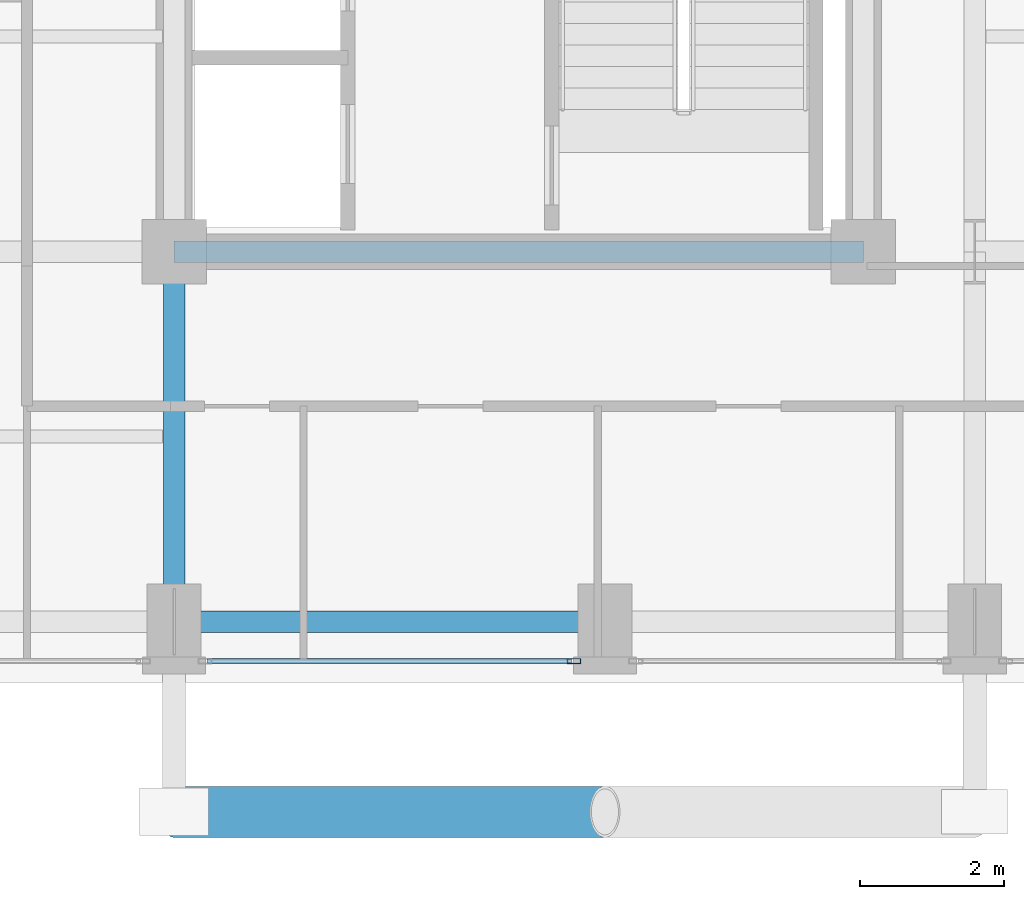
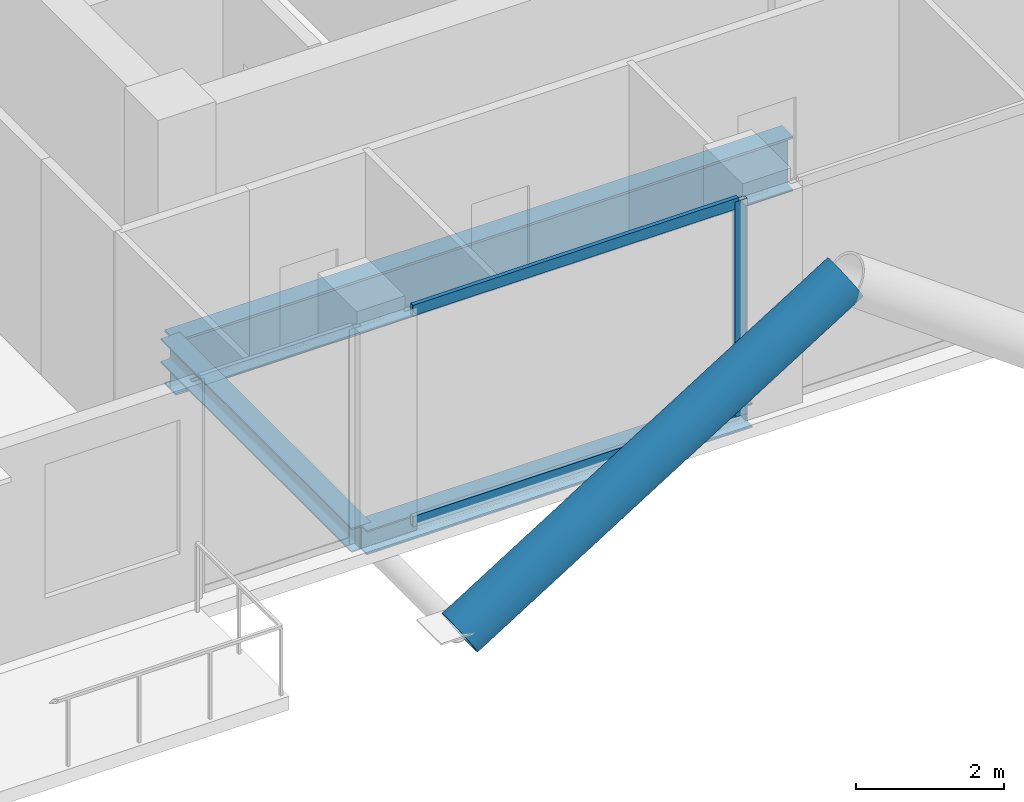
# One storey, part 5 of 22: 4 members, 3 beams, 1 element without a shape of its own.
"""IFC4 building model written with IfcOpenShell, lengths in metres."""

from ifc_helpers import new_model, si_unit, direction, frame, origin, origin_2d, place, context, subcontext, project, spatial, hollow_rectangle, hollow_circle, i_section, extrude, material, layer, layer_set, material_profile, profile_set, type_object, element, aggregate, save


model = new_model("IFC4")

# Units and contexts
model_context = context("Model", 3, precision=1e-05, world=origin(), true_north=direction((0.0, 1.0)))
body_context = subcontext(model_context, "Body", "Model", "MODEL_VIEW")
ifc_project = project(units=[si_unit("LENGTHUNIT", "METRE"), si_unit("AREAUNIT", "SQUARE_METRE"), si_unit("VOLUMEUNIT", "CUBIC_METRE"), si_unit("PLANEANGLEUNIT", "RADIAN"), si_unit("MASSUNIT", "GRAM", prefix="KILO"), si_unit("THERMODYNAMICTEMPERATUREUNIT", "KELVIN"), si_unit("POWERUNIT", "WATT")], contexts=[model_context])

# Site, building, storey
site_placement = place(None, origin())
site = spatial("IfcSite", under=ifc_project, at=site_placement, CompositionType="ELEMENT")
building_placement = place(site_placement, origin())
building = spatial("IfcBuilding", under=site, at=building_placement, Name="Svarakhadi Broadcast Tower", CompositionType="ELEMENT")
storey_placement = place(building_placement, frame((0.0, 0.0, 191.699951171875)))
storey = spatial("IfcBuildingStorey", under=building, at=storey_placement, Name="L47", CompositionType="ELEMENT", Elevation=191.699951171875)

# Curtain wall, members
ifc_material_1 = material(Name="Anodised Bronze Aluminium AA 6063-T6", Category="aluminium")
ifc_layer = layer(ifc_material_1, 0.18994140625)
ifc_layer_set = layer_set([ifc_layer], Name="Anodised Bronze Aluminium AA 6063-T6")
curtain_wall_type = type_object("IfcCurtainWallType", Name="CW_Sys_04", PredefinedType="NOTDEFINED", material=ifc_layer_set)
curtain_wall_placement = place(storey_placement, origin())
curtain_wall = element("IfcCurtainWall", 1, at=curtain_wall_placement, inside=storey, type_object=curtain_wall_type, Name="L47 South Curtain Wall 15 Bay 3", PredefinedType="NOTDEFINED")
ifc_material_profile_1 = material_profile(ifc_material_1, hollow_rectangle(XDim=0.070068359375, YDim=0.18994140625, WallThickness=0.005615234375, at=origin_2d()), Name="ALU MULLION 190x70x6")
ifc_profile_set_1 = profile_set([ifc_material_profile_1], Name="Anodised Bronze Aluminium AA 6063-T6")
member_type_1 = type_object("IfcMemberType", Name="CW_Sys_04_Mul", PredefinedType="MULLION", material=ifc_profile_set_1)
member_1_placement = place(storey_placement, frame((29.570068359375, 0.300048828125, 0.0), z_axis=(0.0, 0.0, 1.0), x_axis=(0.0, -1.0, 0.0)))
member_1 = element("IfcMember", 2, at=member_1_placement, type_object=member_type_1, Name="CW-04 mullion 1", PredefinedType="MULLION", context=body_context, shape_type="SweptSolid", body=[
    extrude(hollow_rectangle(XDim=0.070068359375, YDim=0.18994140625, WallThickness=0.005615234375, at=origin_2d()), origin(), (0.0, 0.0, 1.0), 3.5400390625),
])
ifc_material_profile_2 = material_profile(ifc_material_1, hollow_rectangle(XDim=0.06494140625, YDim=0.175048828125, WallThickness=0.0048828125, at=origin_2d()), Name="ALU TRANSOM 175x65x5")
ifc_profile_set_2 = profile_set([ifc_material_profile_2], Name="Anodised Bronze Aluminium AA 6063-T6")
member_type_2 = type_object("IfcMemberType", Name="CW_Sys_04_Trn", PredefinedType="USERDEFINED", material=ifc_profile_set_2)
member_2_placement = place(storey_placement, frame((29.534912109375, 0.300048828125, 0.032470703125), z_axis=(-1.0, 0.0, 0.0), x_axis=(0.0, -1.0, 0.0)))
member_2 = element("IfcMember", 3, at=member_2_placement, type_object=member_type_2, Name="CW-04 transom 1.1", ObjectType="TRANSOM", PredefinedType="USERDEFINED", context=body_context, shape_type="SweptSolid", body=[
    extrude(hollow_rectangle(XDim=0.06494140625, YDim=0.175048828125, WallThickness=0.0048828125, at=origin_2d()), origin(), (0.0, 0.0, 1.0), 5.06982421875),
])
member_3_placement = place(storey_placement, frame((29.534912109375, 0.300048828125, 3.507568359375), z_axis=(-1.0, 0.0, 0.0), x_axis=(0.0, -1.0, 0.0)))
member_3 = element("IfcMember", 4, at=member_3_placement, type_object=member_type_2, Name="CW-04 transom 1.2", ObjectType="TRANSOM", PredefinedType="USERDEFINED", context=body_context, shape_type="SweptSolid", body=[
    extrude(hollow_rectangle(XDim=0.06494140625, YDim=0.175048828125, WallThickness=0.0048828125, at=origin_2d()), origin(), (0.0, 0.0, 1.0), 5.06982421875),
])
aggregate(curtain_wall, [member_1, member_2, member_3])

# Member
ifc_material_2 = material(Name="Steel S460ML (IS 2062 E450BR)", Category="steel")
ifc_material_profile_3 = material_profile(ifc_material_2, hollow_circle(Radius=0.35546875, WallThickness=0.034912109375, at=origin_2d()), Name="CHS 711x35")
ifc_profile_set_3 = profile_set([ifc_material_profile_3], Name="Steel S460ML (IS 2062 E450BR)")
member_type_3 = type_object("IfcMemberType", Name="Exo_Brace_CHS711", PredefinedType="BRACE", material=ifc_profile_set_3)
member_4_placement = place(storey_placement, frame((24.0, -1.800048828125, -0.371826171875), z_axis=(0.847998304005, 0.0, 0.529998940003), x_axis=(0.0, 1.0, 0.0)))
element("IfcMember", 5, at=member_4_placement, inside=storey, type_object=member_type_3, Name="L47 Exposed Bronze Exoskeleton Diagonal S01", PredefinedType="BRACE", context=body_context, shape_type="SweptSolid", body=[
    extrude(hollow_circle(Radius=0.35546875, WallThickness=0.034912109375, at=origin_2d()), origin(), (0.0, 0.0, 1.0), 7.075439453125),
])

# Beams
ifc_material_3 = material(Name="Steel S355J2 (IS 2062 E350C)", Category="steel")
ifc_material_profile_4 = material_profile(ifc_material_3, i_section(OverallWidth=0.300048828125, OverallDepth=0.39990234375, WebThickness=0.013427734375, FlangeThickness=0.02392578125, FilletRadius=0.027099609375, at=origin_2d()), Name="WPB 400x300x155")
ifc_profile_set_4 = profile_set([ifc_material_profile_4], Name="Steel S355J2 (IS 2062 E350C)")
beam_type_1 = type_object("IfcBeamType", Name="Girder_WPB400", PredefinedType="USERDEFINED", material=ifc_profile_set_4)
beam_1_placement = place(storey_placement, frame((24.0, 0.85009765625, -0.409912109375), z_axis=(1.0, 0.0, 0.0), x_axis=(0.0, 1.0, 0.0)))
element("IfcBeam", 6, at=beam_1_placement, inside=storey, type_object=beam_type_1, Name="L47 Primary E-W Girder G007", ObjectType="GIRDER", PredefinedType="USERDEFINED", context=body_context, shape_type="SweptSolid", body=[
    extrude(i_section(OverallWidth=0.300048828125, OverallDepth=0.39990234375, WebThickness=0.013427734375, FlangeThickness=0.02392578125, FilletRadius=0.027099609375, at=origin_2d()), origin(), (0.0, 0.0, 1.0), 6.0),
])
beam_2_placement = place(storey_placement, frame((24.0, 0.85009765625, -0.409912109375), z_axis=(0.0, 1.0, 0.0), x_axis=(-1.0, 0.0, 0.0)))
element("IfcBeam", 7, at=beam_2_placement, inside=storey, type_object=beam_type_1, Name="L47 Primary N-S Girder G051", ObjectType="GIRDER", PredefinedType="USERDEFINED", context=body_context, shape_type="SweptSolid", body=[
    extrude(i_section(OverallWidth=0.300048828125, OverallDepth=0.39990234375, WebThickness=0.013427734375, FlangeThickness=0.02392578125, FilletRadius=0.027099609375, at=origin_2d()), origin(), (0.0, 0.0, 1.0), 5.14990234375),
])
ifc_material_profile_5 = material_profile(ifc_material_2, i_section(OverallWidth=0.300048828125, OverallDepth=0.89990234375, WebThickness=0.0185546875, FlangeThickness=0.034912109375, FilletRadius=0.030029296875, at=origin_2d()), Name="WPB 900x300x291")
ifc_profile_set_5 = profile_set([ifc_material_profile_5], Name="Steel S460ML (IS 2062 E450BR)")
beam_type_2 = type_object("IfcBeamType", Name="Girder_WPB900", PredefinedType="USERDEFINED", material=ifc_profile_set_5)
beam_3_placement = place(storey_placement, frame((24.0, 6.0, -0.659912109375), z_axis=(1.0, 0.0, 0.0), x_axis=(0.0, 1.0, 0.0)))
element("IfcBeam", 8, at=beam_3_placement, inside=storey, type_object=beam_type_2, Name="L47 Primary E-W Girder G013", ObjectType="GIRDER", PredefinedType="USERDEFINED", context=body_context, shape_type="SweptSolid", body=[
    extrude(i_section(OverallWidth=0.300048828125, OverallDepth=0.89990234375, WebThickness=0.0185546875, FlangeThickness=0.034912109375, FilletRadius=0.030029296875, at=origin_2d()), origin(), (0.0, 0.0, 1.0), 9.60009765625),
])

save(model, "model.ifc")
